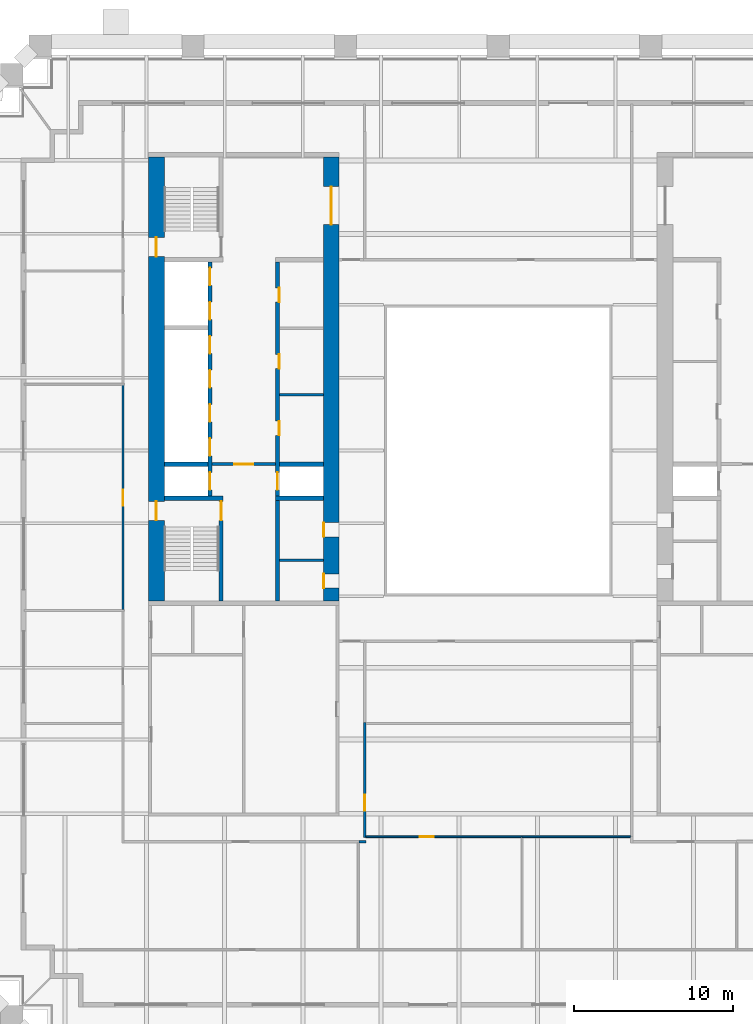
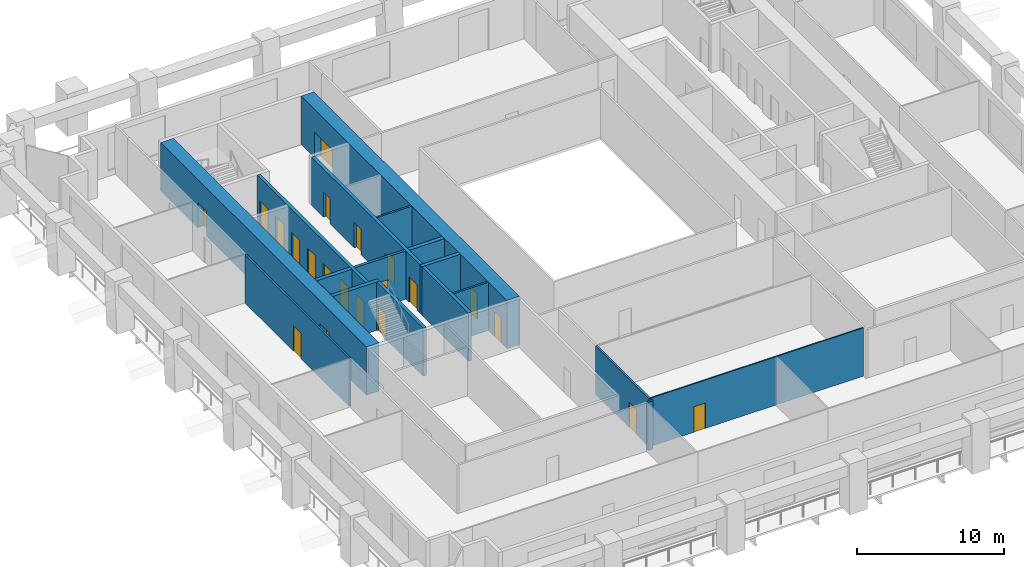
# One storey, part 4 of 10: 21 doors, 17 walls, 21 openings.
"""IFC4 building model written with IfcOpenShell, lengths in metres."""

from ifc_helpers import new_model, si_unit, direction, frame, frame_2d, origin, place, context, subcontext, project, spatial, rectangle, extrude, material, layer, layer_set, type_object, element, fill, save


model = new_model("IFC4")

# Units and contexts
model_context = context("Model", 3, precision=1e-05, world=origin(), true_north=direction((0.0, 1.0)))
body_context = subcontext(model_context, "Body", "Model", "MODEL_VIEW")
ifc_project = project(units=[si_unit("LENGTHUNIT", "METRE"), si_unit("AREAUNIT", "SQUARE_METRE"), si_unit("VOLUMEUNIT", "CUBIC_METRE"), si_unit("PLANEANGLEUNIT", "RADIAN"), si_unit("MASSUNIT", "GRAM", prefix="KILO")], contexts=[model_context])

# Site, building, storey
site_placement = place(None, origin())
site = spatial("IfcSite", under=ifc_project, at=site_placement, CompositionType="ELEMENT")
building_placement = place(site_placement, origin())
building = spatial("IfcBuilding", under=site, at=building_placement, Name="Ogive Exchange Tower", CompositionType="ELEMENT")
storey_placement = place(building_placement, frame((0.0, 0.0, 43.800048828125)))
storey = spatial("IfcBuildingStorey", under=building, at=storey_placement, Name="L08", CompositionType="ELEMENT", Elevation=43.800048828125)

# Walls
ifc_material_1 = material(Name="Gypsum board partition")
ifc_layer_1 = layer(ifc_material_1, 0.14990234375)
ifc_layer_set_1 = layer_set([ifc_layer_1], Name="Core room partition 150 gypsum")
wall_type_1 = type_object("IfcWallType", Name="Core room partition 150 gypsum", PredefinedType="PARTITIONING", material=ifc_layer_set_1)
for number, where, z_axis, x_axis, name in (
    (1, (-13.75, 10.5, 0.0), (0.0, 0.0, 1.0), (1.0, 0.0, 0.0), "W row B bay partition 1-1"),
    (2, (-13.75, 0.10009765625, 0.0), (0.0, 0.0, 1.0), (1.0, 0.0, 0.0), "W south room partition"),
):
    element("IfcWall", number, at=place(storey_placement, frame(where, z_axis=z_axis, x_axis=x_axis)), inside=storey, type_object=wall_type_1, Name=name, PredefinedType="PARTITIONING", context=body_context, shape_type="SweptSolid", body=[
        extrude(rectangle(XDim=2.75, YDim=0.14990234375, at=frame_2d((1.375, 0.0))), origin(), (0.0, 0.0, 1.0), 4.0),
    ])

# Wall, opening, door
ifc_material_2 = material(Name="Fire partition EI 60 150")
ifc_layer_2 = layer(ifc_material_2, 0.14990234375)
ifc_layer_set_2 = layer_set([ifc_layer_2], Name="Fire partition EI 60 150")
wall_type_2 = type_object("IfcWallType", Name="Fire partition EI 60 150", PredefinedType="PARTITIONING", material=ifc_layer_set_2)
wall_1_placement = place(storey_placement, frame((-23.60009765625, -3.010009765625, 0.0), z_axis=(0.0, 0.0, 1.0), x_axis=(0.0, 1.0, 0.0)))
wall_1 = element("IfcWall", 3, at=wall_1_placement, inside=storey, type_object=wall_type_2, Name="L08-PWL-009", PredefinedType="PARTITIONING", context=body_context, shape_type="SweptSolid", body=[
    extrude(rectangle(XDim=14.130126953125, YDim=0.14990234375, at=frame_2d((7.06494140625, 0.0))), origin(), (0.0, 0.0, 1.0), 4.0),
])
opening_1_placement = place(wall_1_placement, frame((6.530029296875, 0.0, 0.0)))
opening_1 = element("IfcOpeningElement", 4, at=opening_1_placement, cuts=wall_1, Name="Opening L08-I03", PredefinedType="OPENING", context=body_context, shape_type="SweptSolid", body=[
    extrude(rectangle(XDim=1.0, YDim=2.10009765625, at=frame_2d((0.5, 1.050048828125))), frame((0.0, 0.0849609375, 0.0), z_axis=(0.0, -1.0, 0.0), x_axis=(1.0, 0.0, 0.0)), (0.0, 0.0, 1.0), 0.169921875),
])
ifc_material_3 = material(Name="Fire door FD 30S 1000 x 2100")
door_type_1 = type_object("IfcDoorType", Name="Fire door FD 30S 1000 x 2100", OperationType="NOTDEFINED", PredefinedType="DOOR", material=ifc_material_3)
door_1_placement = place(opening_1_placement, origin())
door_1 = element("IfcDoor", 5, at=door_1_placement, inside=storey, type_object=door_type_1, Name="L08-IDR-003", ObjectType="DT3", OperationType="SINGLE_SWING_RIGHT", OverallHeight=2.10009765625, OverallWidth=1.0, PredefinedType="DOOR", context=body_context, shape_type="SweptSolid", body=[
    extrude(rectangle(XDim=1.0, YDim=2.10009765625, at=frame_2d((0.5, 1.050048828125))), frame((0.0, 0.02490234375, 0.0), z_axis=(0.0, -1.0, 0.0), x_axis=(1.0, 0.0, 0.0)), (0.0, 0.0, 1.0), 0.050048828125),
])
fill(opening_1, door_1)

# Wall
wall_2_placement = place(storey_placement, frame((-8.324951171875, -17.60009765625, 0.0), z_axis=(0.0, 0.0, 1.0), x_axis=(-1.0, 0.0, 0.0)))
element("IfcWall", 6, at=wall_2_placement, inside=storey, type_object=wall_type_2, Name="L08-PWL-017", PredefinedType="PARTITIONING", context=body_context, shape_type="SweptSolid", body=[
    extrude(rectangle(XDim=0.425048828125, YDim=0.14990234375, at=frame_2d((0.21240234375, 0.0))), origin(), (0.0, 0.0, 1.0), 4.0),
])

# Wall, opening, door
wall_3_placement = place(storey_placement, frame((-8.39990234375, -10.1201171875, 0.0), z_axis=(0.0, 0.0, 1.0), x_axis=(0.0, -1.0, 0.0)))
wall_3 = element("IfcWall", 7, at=wall_3_placement, inside=storey, type_object=wall_type_2, Name="L08-PWL-018", PredefinedType="PARTITIONING", context=body_context, shape_type="SweptSolid", body=[
    extrude(rectangle(XDim=7.219970703125, YDim=0.14990234375, at=frame_2d((3.60986328125, 0.0))), origin(), (0.0, 0.0, 1.0), 4.0),
])
opening_2_placement = place(wall_3_placement, frame((4.52001953125, 0.0, 0.0)))
opening_2 = element("IfcOpeningElement", 8, at=opening_2_placement, cuts=wall_3, Name="Opening L08-I12", PredefinedType="OPENING", context=body_context, shape_type="SweptSolid", body=[
    extrude(rectangle(XDim=1.0, YDim=2.10009765625, at=frame_2d((0.5, 1.050048828125))), frame((0.0, 0.0849609375, 0.0), z_axis=(0.0, -1.0, 0.0), x_axis=(1.0, 0.0, 0.0)), (0.0, 0.0, 1.0), 0.169921875),
])
door_2_placement = place(opening_2_placement, origin())
door_2 = element("IfcDoor", 9, at=door_2_placement, inside=storey, type_object=door_type_1, Name="L08-IDR-012", ObjectType="DT3", OperationType="SINGLE_SWING_LEFT", OverallHeight=2.10009765625, OverallWidth=1.0, PredefinedType="DOOR", context=body_context, shape_type="SweptSolid", body=[
    extrude(rectangle(XDim=1.0, YDim=2.10009765625, at=frame_2d((0.5, 1.050048828125))), frame((0.0, 0.02490234375, 0.0), z_axis=(0.0, -1.0, 0.0), x_axis=(1.0, 0.0, 0.0)), (0.0, 0.0, 1.0), 0.050048828125),
])
fill(opening_2, door_2)

ifc_material_4 = material(Name="Partition 100 gypsum")
ifc_layer_3 = layer(ifc_material_4, 0.10009765625)
ifc_layer_set_3 = layer_set([ifc_layer_3], Name="Partition 100 gypsum")
wall_type_3 = type_object("IfcWallType", Name="Partition 100 gypsum", PredefinedType="PARTITIONING", material=ifc_layer_set_3)
wall_4_placement = place(storey_placement, frame((1.550048828125, -17.2900390625, 0.0), z_axis=(0.0, 0.0, 1.0), x_axis=(-1.0, 0.0, 0.0)))
wall_4 = element("IfcWall", 10, at=wall_4_placement, inside=storey, type_object=wall_type_3, Name="L08-PWL-023", PredefinedType="PARTITIONING", context=body_context, shape_type="SweptSolid", body=[
    extrude(rectangle(XDim=9.875, YDim=0.10009765625, at=frame_2d((4.9375, 0.0))), origin(), (0.0, 0.0, 1.0), 4.0),
])
opening_3_placement = place(wall_4_placement, frame((5.60009765625, 0.0, 0.0)))
opening_3 = element("IfcOpeningElement", 11, at=opening_3_placement, cuts=wall_4, Name="Opening L08-I13", PredefinedType="OPENING", context=body_context, shape_type="SweptSolid", body=[
    extrude(rectangle(XDim=0.89990234375, YDim=2.10009765625, at=frame_2d((0.449951171875, 1.050048828125))), frame((0.0, 0.06005859375, 0.0), z_axis=(0.0, -1.0, 0.0), x_axis=(1.0, 0.0, 0.0)), (0.0, 0.0, 1.0), 0.1201171875),
])
ifc_material_5 = material(Name="Door 900 x 2100")
door_type_2 = type_object("IfcDoorType", Name="Door 900 x 2100", OperationType="NOTDEFINED", PredefinedType="DOOR", material=ifc_material_5)
door_3_placement = place(opening_3_placement, origin())
door_3 = element("IfcDoor", 12, at=door_3_placement, inside=storey, type_object=door_type_2, Name="L08-IDR-013", ObjectType="DT1", OperationType="SINGLE_SWING_LEFT", OverallHeight=2.10009765625, OverallWidth=0.89990234375, PredefinedType="DOOR", context=body_context, shape_type="SweptSolid", body=[
    extrude(rectangle(XDim=0.89990234375, YDim=2.10009765625, at=frame_2d((0.449951171875, 1.050048828125))), frame((0.0, 0.02490234375, 0.0), z_axis=(0.0, -1.0, 0.0), x_axis=(1.0, 0.0, 0.0)), (0.0, 0.0, 1.0), 0.050048828125),
])
fill(opening_3, door_3)

# Wall
wall_5_placement = place(storey_placement, frame((8.324951171875, -17.2900390625, 0.0), z_axis=(0.0, 0.0, 1.0), x_axis=(-1.0, 0.0, 0.0)))
element("IfcWall", 13, at=wall_5_placement, inside=storey, type_object=wall_type_3, Name="L08-PWL-026", PredefinedType="PARTITIONING", context=body_context, shape_type="SweptSolid", body=[
    extrude(rectangle(XDim=6.824951171875, YDim=0.10009765625, at=frame_2d((3.41259765625, 0.0))), origin(), (0.0, 0.0, 1.0), 4.0),
])

# Wall, openings, doors
ifc_material_6 = material(Name="Concrete C70/85", Category="concrete")
ifc_layer_4 = layer(ifc_material_6, 1.0)
ifc_layer_set_4 = layer_set([ifc_layer_4], Name="RC core wall 1000 C70/85")
wall_type_4 = type_object("IfcWallType", Name="RC core wall 1000 C70/85", PredefinedType="SHEAR", material=ifc_layer_set_4)
wall_6_placement = place(storey_placement, frame((-21.5, -2.449951171875, 0.0), z_axis=(0.0, 0.0, 1.0), x_axis=(0.0, 1.0, 0.0)))
wall_6 = element("IfcWall", 14, at=wall_6_placement, inside=storey, type_object=wall_type_4, Name="W outer wall", PredefinedType="SHEAR", context=body_context, shape_type="SweptSolid", body=[
    extrude(rectangle(XDim=27.89990234375, YDim=1.0, at=frame_2d((13.949951171875, 0.0))), origin(), (0.0, 0.0, 1.0), 4.0),
])
opening_4_placement = place(wall_6_placement, frame((5.050048828125, 0.0, 0.0)))
opening_4 = element("IfcOpeningElement", 15, at=opening_4_placement, cuts=wall_6, Name="Opening L08-C15", PredefinedType="OPENING", context=body_context, shape_type="SweptSolid", body=[
    extrude(rectangle(XDim=1.199951171875, YDim=2.10009765625, at=frame_2d((0.60009765625, 1.050048828125))), frame((0.0, 0.510009765625, 0.0), z_axis=(0.0, -1.0, 0.0), x_axis=(1.0, 0.0, 0.0)), (0.0, 0.0, 1.0), 1.02001953125),
])
opening_5_placement = place(wall_6_placement, frame((21.64990234375, 0.0, 0.0)))
opening_5 = element("IfcOpeningElement", 16, at=opening_5_placement, cuts=wall_6, Name="Opening L08-C17", PredefinedType="OPENING", context=body_context, shape_type="SweptSolid", body=[
    extrude(rectangle(XDim=1.199951171875, YDim=2.10009765625, at=frame_2d((0.60009765625, 1.050048828125))), frame((0.0, 0.510009765625, 0.0), z_axis=(0.0, -1.0, 0.0), x_axis=(1.0, 0.0, 0.0)), (0.0, 0.0, 1.0), 1.02001953125),
])
ifc_material_7 = material(Name="Steel fire door", Category="steel")
door_type_3 = type_object("IfcDoorType", Name="Stair door FD90 1200 x 2100", OperationType="NOTDEFINED", PredefinedType="DOOR", material=ifc_material_7)
door_4_placement = place(opening_4_placement, frame((1.199951171875, 0.0, 0.0), z_axis=(0.0, 0.0, 1.0), x_axis=(-1.0, 0.0, 0.0)))
door_4 = element("IfcDoor", 17, at=door_4_placement, inside=storey, type_object=door_type_3, Name="Stair door", ObjectType="CD5", OperationType="SINGLE_SWING_RIGHT", OverallHeight=2.10009765625, OverallWidth=1.199951171875, PredefinedType="DOOR", context=body_context, shape_type="SweptSolid", body=[
    extrude(rectangle(XDim=1.199951171875, YDim=2.10009765625, at=frame_2d((0.60009765625, 1.050048828125))), frame((0.0, 0.02490234375, 0.0), z_axis=(0.0, -1.0, 0.0), x_axis=(1.0, 0.0, 0.0)), (0.0, 0.0, 1.0), 0.050048828125),
])
fill(opening_4, door_4)
door_5_placement = place(opening_5_placement, frame((1.199951171875, 0.0, 0.0), z_axis=(0.0, 0.0, 1.0), x_axis=(-1.0, 0.0, 0.0)))
door_5 = element("IfcDoor", 18, at=door_5_placement, inside=storey, type_object=door_type_3, Name="Stair door", ObjectType="CD5", OperationType="SINGLE_SWING_LEFT", OverallHeight=2.10009765625, OverallWidth=1.199951171875, PredefinedType="DOOR", context=body_context, shape_type="SweptSolid", body=[
    extrude(rectangle(XDim=1.199951171875, YDim=2.10009765625, at=frame_2d((0.60009765625, 1.050048828125))), frame((0.0, 0.02490234375, 0.0), z_axis=(0.0, -1.0, 0.0), x_axis=(1.0, 0.0, 0.0)), (0.0, 0.0, 1.0), 0.050048828125),
])
fill(opening_5, door_5)

wall_7_placement = place(storey_placement, frame((-10.5, -2.449951171875, 0.0), z_axis=(0.0, 0.0, 1.0), x_axis=(0.0, 1.0, 0.0)))
wall_7 = element("IfcWall", 19, at=wall_7_placement, inside=storey, type_object=wall_type_4, Name="W inner wall", PredefinedType="SHEAR", context=body_context, shape_type="SweptSolid", body=[
    extrude(rectangle(XDim=27.89990234375, YDim=1.0, at=frame_2d((13.949951171875, 0.0))), origin(), (0.0, 0.0, 1.0), 4.0),
])
opening_6_placement = place(wall_7_placement, frame((23.64990234375, 0.0, 0.0)))
opening_6 = element("IfcOpeningElement", 20, at=opening_6_placement, cuts=wall_7, Name="Opening L08-C13", PredefinedType="OPENING", context=body_context, shape_type="SweptSolid", body=[
    extrude(rectangle(XDim=2.39990234375, YDim=2.10009765625, at=frame_2d((1.199951171875, 1.050048828125))), frame((0.0, 0.510009765625, 0.0), z_axis=(0.0, -1.0, 0.0), x_axis=(1.0, 0.0, 0.0)), (0.0, 0.0, 1.0), 1.02001953125),
])
opening_7_placement = place(wall_7_placement, frame((0.78759765625, 0.0, 0.0)))
opening_7 = element("IfcOpeningElement", 21, at=opening_7_placement, cuts=wall_7, Name="Opening L08-C18", PredefinedType="OPENING", context=body_context, shape_type="SweptSolid", body=[
    extrude(rectangle(XDim=0.89990234375, YDim=2.10009765625, at=frame_2d((0.449951171875, 1.050048828125))), frame((0.0, 0.510009765625, 0.0), z_axis=(0.0, -1.0, 0.0), x_axis=(1.0, 0.0, 0.0)), (0.0, 0.0, 1.0), 1.02001953125),
])
opening_8_placement = place(wall_7_placement, frame((4.012451171875, 0.0, 0.0)))
opening_8 = element("IfcOpeningElement", 22, at=opening_8_placement, cuts=wall_7, Name="Opening L08-C19", PredefinedType="OPENING", context=body_context, shape_type="SweptSolid", body=[
    extrude(rectangle(XDim=0.89990234375, YDim=2.10009765625, at=frame_2d((0.449951171875, 1.050048828125))), frame((0.0, 0.510009765625, 0.0), z_axis=(0.0, -1.0, 0.0), x_axis=(1.0, 0.0, 0.0)), (0.0, 0.0, 1.0), 1.02001953125),
])
ifc_material_8 = material(Name="Timber fire door", Category="wood")
door_type_4 = type_object("IfcDoorType", Name="Core room door FD30S 900 x 2100", OperationType="NOTDEFINED", PredefinedType="DOOR", material=ifc_material_8)
door_6_placement = place(opening_7_placement, origin())
door_6 = element("IfcDoor", 23, at=door_6_placement, inside=storey, type_object=door_type_4, Name="Core room door", ObjectType="CD6", OperationType="SINGLE_SWING_LEFT", OverallHeight=2.10009765625, OverallWidth=0.89990234375, PredefinedType="DOOR", context=body_context, shape_type="SweptSolid", body=[
    extrude(rectangle(XDim=0.89990234375, YDim=2.10009765625, at=frame_2d((0.449951171875, 1.050048828125))), frame((0.0, 0.5, 0.0), z_axis=(0.0, -1.0, 0.0), x_axis=(1.0, 0.0, 0.0)), (0.0, 0.0, 1.0), 0.050048828125),
])
fill(opening_7, door_6)
ifc_material_9 = material(Name="Glazed steel fire door", Category="steel")
door_type_5 = type_object("IfcDoorType", Name="Lift lobby double door FD60 2400 x 2100", OperationType="DOUBLE_DOOR_SINGLE_SWING", PredefinedType="DOOR", material=ifc_material_9)
door_7_placement = place(opening_6_placement, origin())
door_7 = element("IfcDoor", 24, at=door_7_placement, inside=storey, type_object=door_type_5, Name="Lift lobby double door", ObjectType="CD4", OperationType="DOUBLE_DOOR_SINGLE_SWING", OverallHeight=2.10009765625, OverallWidth=2.39990234375, PredefinedType="DOOR", context=body_context, shape_type="SweptSolid", body=[
    extrude(rectangle(XDim=2.39990234375, YDim=2.10009765625, at=frame_2d((1.199951171875, 1.050048828125))), frame((0.0, 0.02490234375, 0.0), z_axis=(0.0, -1.0, 0.0), x_axis=(1.0, 0.0, 0.0)), (0.0, 0.0, 1.0), 0.050048828125),
])
fill(opening_6, door_7)
door_type_6 = type_object("IfcDoorType", Name="Riser door FD60 900 x 2100", OperationType="NOTDEFINED", PredefinedType="DOOR", material=ifc_material_7)
door_8_placement = place(opening_8_placement, origin())
door_8 = element("IfcDoor", 25, at=door_8_placement, inside=storey, type_object=door_type_6, Name="Riser door", ObjectType="CD2", OperationType="SINGLE_SWING_LEFT", OverallHeight=2.10009765625, OverallWidth=0.89990234375, PredefinedType="DOOR", context=body_context, shape_type="SweptSolid", body=[
    extrude(rectangle(XDim=0.89990234375, YDim=2.10009765625, at=frame_2d((0.449951171875, 1.050048828125))), frame((0.0, 0.5, 0.0), z_axis=(0.0, -1.0, 0.0), x_axis=(1.0, 0.0, 0.0)), (0.0, 0.0, 1.0), 0.050048828125),
])
fill(opening_8, door_8)

# Wall, opening, door
ifc_layer_5 = layer(ifc_material_6, 0.199951171875)
ifc_layer_set_5 = layer_set([ifc_layer_5], Name="RC core wall 200 C70/85")
wall_type_5 = type_object("IfcWallType", Name="RC core wall 200 C70/85", PredefinedType="SHEAR", material=ifc_layer_set_5)
wall_8_placement = place(storey_placement, frame((-18.0, 6.142822265625, 0.0), z_axis=(0.0, 0.0, 1.0), x_axis=(1.0, 0.0, 0.0)))
wall_8 = element("IfcWall", 26, at=wall_8_placement, inside=storey, type_object=wall_type_5, Name="W firefighting lobby wall", PredefinedType="SHEAR", context=body_context, shape_type="SweptSolid", body=[
    extrude(rectangle(XDim=4.0, YDim=0.199951171875, at=frame_2d((2.0, 0.0))), origin(), (0.0, 0.0, 1.0), 4.0),
])
opening_9_placement = place(wall_8_placement, frame((1.39990234375, 0.0, 0.0)))
opening_9 = element("IfcOpeningElement", 27, at=opening_9_placement, cuts=wall_8, Name="Opening L08-C12", PredefinedType="OPENING", context=body_context, shape_type="SweptSolid", body=[
    extrude(rectangle(XDim=1.199951171875, YDim=2.10009765625, at=frame_2d((0.60009765625, 1.050048828125))), frame((0.0, 0.10986328125, 0.0), z_axis=(0.0, -1.0, 0.0), x_axis=(1.0, 0.0, 0.0)), (0.0, 0.0, 1.0), 0.219970703125),
])
door_type_7 = type_object("IfcDoorType", Name="Firefighting lobby door FD60 1200 x 2100", OperationType="NOTDEFINED", PredefinedType="DOOR", material=ifc_material_7)
door_9_placement = place(opening_9_placement, frame((1.199951171875, 0.0, 0.0), z_axis=(0.0, 0.0, 1.0), x_axis=(-1.0, 0.0, 0.0)))
door_9 = element("IfcDoor", 28, at=door_9_placement, inside=storey, type_object=door_type_7, Name="Firefighting lobby door", ObjectType="CD3", OperationType="SINGLE_SWING_RIGHT", OverallHeight=2.10009765625, OverallWidth=1.199951171875, PredefinedType="DOOR", context=body_context, shape_type="SweptSolid", body=[
    extrude(rectangle(XDim=1.199951171875, YDim=2.10009765625, at=frame_2d((0.60009765625, 1.050048828125))), frame((0.0, 0.02490234375, 0.0), z_axis=(0.0, -1.0, 0.0), x_axis=(1.0, 0.0, 0.0)), (0.0, 0.0, 1.0), 0.050048828125),
])
fill(opening_9, door_9)

ifc_layer_6 = layer(ifc_material_6, 0.25)
ifc_layer_set_6 = layer_set([ifc_layer_6], Name="RC core wall 250 C70/85")
wall_type_6 = type_object("IfcWallType", Name="RC core wall 250 C70/85", PredefinedType="SHEAR", material=ifc_layer_set_6)
wall_9_placement = place(storey_placement, frame((-17.425048828125, -2.449951171875, 0.0), z_axis=(0.0, 0.0, 1.0), x_axis=(0.0, 1.0, 0.0)))
wall_9 = element("IfcWall", 29, at=wall_9_placement, inside=storey, type_object=wall_type_6, Name="W stair S front wall", PredefinedType="SHEAR", context=body_context, shape_type="SweptSolid", body=[
    extrude(rectangle(XDim=6.300048828125, YDim=0.25, at=frame_2d((3.14990234375, 0.0))), origin(), (0.0, 0.0, 1.0), 4.0),
])
opening_10_placement = place(wall_9_placement, frame((5.050048828125, 0.0, 0.0)))
opening_10 = element("IfcOpeningElement", 30, at=opening_10_placement, cuts=wall_9, Name="Opening L08-C14", PredefinedType="OPENING", context=body_context, shape_type="SweptSolid", body=[
    extrude(rectangle(XDim=1.199951171875, YDim=2.10009765625, at=frame_2d((0.60009765625, 1.050048828125))), frame((0.0, 0.135009765625, 0.0), z_axis=(0.0, -1.0, 0.0), x_axis=(1.0, 0.0, 0.0)), (0.0, 0.0, 1.0), 0.27001953125),
])
door_10_placement = place(opening_10_placement, origin())
door_10 = element("IfcDoor", 31, at=door_10_placement, inside=storey, type_object=door_type_3, Name="Stair door", ObjectType="CD5", OperationType="SINGLE_SWING_LEFT", OverallHeight=2.10009765625, OverallWidth=1.199951171875, PredefinedType="DOOR", context=body_context, shape_type="SweptSolid", body=[
    extrude(rectangle(XDim=1.199951171875, YDim=2.10009765625, at=frame_2d((0.60009765625, 1.050048828125))), frame((0.0, 0.02490234375, 0.0), z_axis=(0.0, -1.0, 0.0), x_axis=(1.0, 0.0, 0.0)), (0.0, 0.0, 1.0), 0.050048828125),
])
fill(opening_10, door_10)

# Wall, openings, doors
wall_10_placement = place(storey_placement, frame((-18.125, 4.14990234375, 0.0), z_axis=(0.0, 0.0, 1.0), x_axis=(0.0, 1.0, 0.0)))
wall_10 = element("IfcWall", 32, at=wall_10_placement, inside=storey, type_object=wall_type_6, Name="W row A front wall", PredefinedType="SHEAR", context=body_context, shape_type="SweptSolid", body=[
    extrude(rectangle(XDim=14.7001953125, YDim=0.25, at=frame_2d((7.35009765625, 0.0))), origin(), (0.0, 0.0, 1.0), 4.0),
])
opening_11_placement = place(wall_10_placement, frame((0.371337890625, 0.0, 0.0)))
opening_11 = element("IfcOpeningElement", 33, at=opening_11_placement, cuts=wall_10, Name="Opening L08-C01", PredefinedType="OPENING", context=body_context, shape_type="SweptSolid", body=[
    extrude(rectangle(XDim=1.10009765625, YDim=2.10009765625, at=frame_2d((0.550048828125, 1.050048828125))), frame((0.0, 0.135009765625, 0.0), z_axis=(0.0, -1.0, 0.0), x_axis=(1.0, 0.0, 0.0)), (0.0, 0.0, 1.0), 0.27001953125),
])
opening_12_placement = place(wall_10_placement, frame((2.514404296875, 0.0, 0.0)))
opening_12 = element("IfcOpeningElement", 34, at=opening_12_placement, cuts=wall_10, Name="Opening L08-C02", PredefinedType="OPENING", context=body_context, shape_type="SweptSolid", body=[
    extrude(rectangle(XDim=1.10009765625, YDim=2.10009765625, at=frame_2d((0.550048828125, 1.050048828125))), frame((0.0, 0.135009765625, 0.0), z_axis=(0.0, -1.0, 0.0), x_axis=(1.0, 0.0, 0.0)), (0.0, 0.0, 1.0), 0.27001953125),
])
opening_13_placement = place(wall_10_placement, frame((4.656982421875, 0.0, 0.0)))
opening_13 = element("IfcOpeningElement", 35, at=opening_13_placement, cuts=wall_10, Name="Opening L08-C03", PredefinedType="OPENING", context=body_context, shape_type="SweptSolid", body=[
    extrude(rectangle(XDim=1.10009765625, YDim=2.10009765625, at=frame_2d((0.550048828125, 1.050048828125))), frame((0.0, 0.135009765625, 0.0), z_axis=(0.0, -1.0, 0.0), x_axis=(1.0, 0.0, 0.0)), (0.0, 0.0, 1.0), 0.27001953125),
])
opening_14_placement = place(wall_10_placement, frame((6.800048828125, 0.0, 0.0)))
opening_14 = element("IfcOpeningElement", 36, at=opening_14_placement, cuts=wall_10, Name="Opening L08-C04", PredefinedType="OPENING", context=body_context, shape_type="SweptSolid", body=[
    extrude(rectangle(XDim=1.10009765625, YDim=2.10009765625, at=frame_2d((0.550048828125, 1.050048828125))), frame((0.0, 0.135009765625, 0.0), z_axis=(0.0, -1.0, 0.0), x_axis=(1.0, 0.0, 0.0)), (0.0, 0.0, 1.0), 0.27001953125),
])
opening_15_placement = place(wall_10_placement, frame((8.94287109375, 0.0, 0.0)))
opening_15 = element("IfcOpeningElement", 37, at=opening_15_placement, cuts=wall_10, Name="Opening L08-C05", PredefinedType="OPENING", context=body_context, shape_type="SweptSolid", body=[
    extrude(rectangle(XDim=1.10009765625, YDim=2.10009765625, at=frame_2d((0.550048828125, 1.050048828125))), frame((0.0, 0.135009765625, 0.0), z_axis=(0.0, -1.0, 0.0), x_axis=(1.0, 0.0, 0.0)), (0.0, 0.0, 1.0), 0.27001953125),
])
opening_16_placement = place(wall_10_placement, frame((11.085693359375, 0.0, 0.0)))
opening_16 = element("IfcOpeningElement", 38, at=opening_16_placement, cuts=wall_10, Name="Opening L08-C06", PredefinedType="OPENING", context=body_context, shape_type="SweptSolid", body=[
    extrude(rectangle(XDim=1.10009765625, YDim=2.10009765625, at=frame_2d((0.550048828125, 1.050048828125))), frame((0.0, 0.135009765625, 0.0), z_axis=(0.0, -1.0, 0.0), x_axis=(1.0, 0.0, 0.0)), (0.0, 0.0, 1.0), 0.27001953125),
])
opening_17_placement = place(wall_10_placement, frame((13.228515625, 0.0, 0.0)))
opening_17 = element("IfcOpeningElement", 39, at=opening_17_placement, cuts=wall_10, Name="Opening L08-C07", PredefinedType="OPENING", context=body_context, shape_type="SweptSolid", body=[
    extrude(rectangle(XDim=1.10009765625, YDim=2.10009765625, at=frame_2d((0.550048828125, 1.050048828125))), frame((0.0, 0.135009765625, 0.0), z_axis=(0.0, -1.0, 0.0), x_axis=(1.0, 0.0, 0.0)), (0.0, 0.0, 1.0), 0.27001953125),
])
ifc_material_10 = material(Name="Stainless steel", Category="steel")
door_type_8 = type_object("IfcDoorType", Name="Lift landing door FD90 1100 x 2100", OperationType="SLIDING_TO_LEFT", PredefinedType="DOOR", material=ifc_material_10)
door_11_placement = place(opening_11_placement, origin())
door_11 = element("IfcDoor", 40, at=door_11_placement, inside=storey, type_object=door_type_8, Name="Lift landing door FF1", ObjectType="LD", OperationType="SLIDING_TO_LEFT", OverallHeight=2.10009765625, OverallWidth=1.10009765625, PredefinedType="DOOR", context=body_context, shape_type="SweptSolid", body=[
    extrude(rectangle(XDim=1.10009765625, YDim=2.10009765625, at=frame_2d((0.550048828125, 1.050048828125))), frame((0.0, 0.02490234375, 0.0), z_axis=(0.0, -1.0, 0.0), x_axis=(1.0, 0.0, 0.0)), (0.0, 0.0, 1.0), 0.050048828125),
])
fill(opening_11, door_11)
door_12_placement = place(opening_12_placement, origin())
door_12 = element("IfcDoor", 41, at=door_12_placement, inside=storey, type_object=door_type_8, Name="Lift landing door W-L1", ObjectType="LD", OperationType="SLIDING_TO_LEFT", OverallHeight=2.10009765625, OverallWidth=1.10009765625, PredefinedType="DOOR", context=body_context, shape_type="SweptSolid", body=[
    extrude(rectangle(XDim=1.10009765625, YDim=2.10009765625, at=frame_2d((0.550048828125, 1.050048828125))), frame((0.0, 0.02490234375, 0.0), z_axis=(0.0, -1.0, 0.0), x_axis=(1.0, 0.0, 0.0)), (0.0, 0.0, 1.0), 0.050048828125),
])
fill(opening_12, door_12)
door_13_placement = place(opening_13_placement, origin())
door_13 = element("IfcDoor", 42, at=door_13_placement, inside=storey, type_object=door_type_8, Name="Lift landing door W-L2", ObjectType="LD", OperationType="SLIDING_TO_LEFT", OverallHeight=2.10009765625, OverallWidth=1.10009765625, PredefinedType="DOOR", context=body_context, shape_type="SweptSolid", body=[
    extrude(rectangle(XDim=1.10009765625, YDim=2.10009765625, at=frame_2d((0.550048828125, 1.050048828125))), frame((0.0, 0.02490234375, 0.0), z_axis=(0.0, -1.0, 0.0), x_axis=(1.0, 0.0, 0.0)), (0.0, 0.0, 1.0), 0.050048828125),
])
fill(opening_13, door_13)
door_14_placement = place(opening_14_placement, origin())
door_14 = element("IfcDoor", 43, at=door_14_placement, inside=storey, type_object=door_type_8, Name="Lift landing door W-L3", ObjectType="LD", OperationType="SLIDING_TO_LEFT", OverallHeight=2.10009765625, OverallWidth=1.10009765625, PredefinedType="DOOR", context=body_context, shape_type="SweptSolid", body=[
    extrude(rectangle(XDim=1.10009765625, YDim=2.10009765625, at=frame_2d((0.550048828125, 1.050048828125))), frame((0.0, 0.02490234375, 0.0), z_axis=(0.0, -1.0, 0.0), x_axis=(1.0, 0.0, 0.0)), (0.0, 0.0, 1.0), 0.050048828125),
])
fill(opening_14, door_14)
door_15_placement = place(opening_15_placement, origin())
door_15 = element("IfcDoor", 44, at=door_15_placement, inside=storey, type_object=door_type_8, Name="Lift landing door W-L4", ObjectType="LD", OperationType="SLIDING_TO_LEFT", OverallHeight=2.10009765625, OverallWidth=1.10009765625, PredefinedType="DOOR", context=body_context, shape_type="SweptSolid", body=[
    extrude(rectangle(XDim=1.10009765625, YDim=2.10009765625, at=frame_2d((0.550048828125, 1.050048828125))), frame((0.0, 0.02490234375, 0.0), z_axis=(0.0, -1.0, 0.0), x_axis=(1.0, 0.0, 0.0)), (0.0, 0.0, 1.0), 0.050048828125),
])
fill(opening_15, door_15)
door_16_placement = place(opening_16_placement, origin())
door_16 = element("IfcDoor", 45, at=door_16_placement, inside=storey, type_object=door_type_8, Name="Lift landing door W-SH1", ObjectType="LD", OperationType="SLIDING_TO_LEFT", OverallHeight=2.10009765625, OverallWidth=1.10009765625, PredefinedType="DOOR", context=body_context, shape_type="SweptSolid", body=[
    extrude(rectangle(XDim=1.10009765625, YDim=2.10009765625, at=frame_2d((0.550048828125, 1.050048828125))), frame((0.0, 0.02490234375, 0.0), z_axis=(0.0, -1.0, 0.0), x_axis=(1.0, 0.0, 0.0)), (0.0, 0.0, 1.0), 0.050048828125),
])
fill(opening_16, door_16)
door_17_placement = place(opening_17_placement, origin())
door_17 = element("IfcDoor", 46, at=door_17_placement, inside=storey, type_object=door_type_8, Name="Lift landing door W-SH2", ObjectType="LD", OperationType="SLIDING_TO_LEFT", OverallHeight=2.10009765625, OverallWidth=1.10009765625, PredefinedType="DOOR", context=body_context, shape_type="SweptSolid", body=[
    extrude(rectangle(XDim=1.10009765625, YDim=2.10009765625, at=frame_2d((0.550048828125, 1.050048828125))), frame((0.0, 0.02490234375, 0.0), z_axis=(0.0, -1.0, 0.0), x_axis=(1.0, 0.0, 0.0)), (0.0, 0.0, 1.0), 0.050048828125),
])
fill(opening_17, door_17)

wall_11_placement = place(storey_placement, frame((-13.875, -2.449951171875, 0.0), z_axis=(0.0, 0.0, 1.0), x_axis=(0.0, 1.0, 0.0)))
wall_11 = element("IfcWall", 47, at=wall_11_placement, inside=storey, type_object=wall_type_6, Name="W row B front wall", PredefinedType="SHEAR", context=body_context, shape_type="SweptSolid", body=[
    extrude(rectangle(XDim=21.300048828125, YDim=0.25, at=frame_2d((10.64990234375, 0.0))), origin(), (0.0, 0.0, 1.0), 4.0),
])
opening_18_placement = place(wall_11_placement, frame((10.396484375, 0.0, 0.0)))
opening_18 = element("IfcOpeningElement", 48, at=opening_18_placement, cuts=wall_11, Name="Opening L08-C08", PredefinedType="OPENING", context=body_context, shape_type="SweptSolid", body=[
    extrude(rectangle(XDim=0.89990234375, YDim=2.10009765625, at=frame_2d((0.449951171875, 1.050048828125))), frame((0.0, 0.135009765625, 0.0), z_axis=(0.0, -1.0, 0.0), x_axis=(1.0, 0.0, 0.0)), (0.0, 0.0, 1.0), 0.27001953125),
])
opening_19_placement = place(wall_11_placement, frame((14.60009765625, 0.0, 0.0)))
opening_19 = element("IfcOpeningElement", 49, at=opening_19_placement, cuts=wall_11, Name="Opening L08-C09", PredefinedType="OPENING", context=body_context, shape_type="SweptSolid", body=[
    extrude(rectangle(XDim=0.89990234375, YDim=2.10009765625, at=frame_2d((0.449951171875, 1.050048828125))), frame((0.0, 0.135009765625, 0.0), z_axis=(0.0, -1.0, 0.0), x_axis=(1.0, 0.0, 0.0)), (0.0, 0.0, 1.0), 0.27001953125),
])
opening_20_placement = place(wall_11_placement, frame((18.77490234375, 0.0, 0.0)))
opening_20 = element("IfcOpeningElement", 50, at=opening_20_placement, cuts=wall_11, Name="Opening L08-C10", PredefinedType="OPENING", context=body_context, shape_type="SweptSolid", body=[
    extrude(rectangle(XDim=0.89990234375, YDim=2.10009765625, at=frame_2d((0.449951171875, 1.050048828125))), frame((0.0, 0.135009765625, 0.0), z_axis=(0.0, -1.0, 0.0), x_axis=(1.0, 0.0, 0.0)), (0.0, 0.0, 1.0), 0.27001953125),
])
opening_21_placement = place(wall_11_placement, frame((6.971435546875, 0.0, 0.0)))
opening_21 = element("IfcOpeningElement", 51, at=opening_21_placement, cuts=wall_11, Name="Opening L08-C11", PredefinedType="OPENING", context=body_context, shape_type="SweptSolid", body=[
    extrude(rectangle(XDim=1.10009765625, YDim=2.10009765625, at=frame_2d((0.550048828125, 1.050048828125))), frame((0.0, 0.135009765625, 0.0), z_axis=(0.0, -1.0, 0.0), x_axis=(1.0, 0.0, 0.0)), (0.0, 0.0, 1.0), 0.27001953125),
])
door_18_placement = place(opening_20_placement, frame((0.89990234375, -0.2001953125, 0.0), z_axis=(0.0, 0.0, 1.0), x_axis=(-1.0, 0.0, 0.0)))
door_18 = element("IfcDoor", 52, at=door_18_placement, inside=storey, type_object=door_type_4, Name="Core room door", ObjectType="CD6", OperationType="SINGLE_SWING_RIGHT", OverallHeight=2.10009765625, OverallWidth=0.89990234375, PredefinedType="DOOR", context=body_context, shape_type="SweptSolid", body=[
    extrude(rectangle(XDim=0.89990234375, YDim=2.10009765625, at=frame_2d((0.449951171875, 1.050048828125))), frame((0.0, -0.0751953125, 0.0), z_axis=(0.0, -1.0, 0.0), x_axis=(1.0, 0.0, 0.0)), (0.0, 0.0, 1.0), 0.050048828125),
])
fill(opening_20, door_18)
door_19_placement = place(opening_21_placement, origin())
door_19 = element("IfcDoor", 53, at=door_19_placement, inside=storey, type_object=door_type_8, Name="Lift landing door SV1", ObjectType="LD", OperationType="SLIDING_TO_LEFT", OverallHeight=2.10009765625, OverallWidth=1.10009765625, PredefinedType="DOOR", context=body_context, shape_type="SweptSolid", body=[
    extrude(rectangle(XDim=1.10009765625, YDim=2.10009765625, at=frame_2d((0.550048828125, 1.050048828125))), frame((0.0, 0.02490234375, 0.0), z_axis=(0.0, -1.0, 0.0), x_axis=(1.0, 0.0, 0.0)), (0.0, 0.0, 1.0), 0.050048828125),
])
fill(opening_21, door_19)
door_20_placement = place(opening_18_placement, frame((0.89990234375, -0.2001953125, 0.0), z_axis=(0.0, 0.0, 1.0), x_axis=(-1.0, 0.0, 0.0)))
door_20 = element("IfcDoor", 54, at=door_20_placement, inside=storey, type_object=door_type_6, Name="Riser door", ObjectType="CD2", OperationType="SINGLE_SWING_LEFT", OverallHeight=2.10009765625, OverallWidth=0.89990234375, PredefinedType="DOOR", context=body_context, shape_type="SweptSolid", body=[
    extrude(rectangle(XDim=0.89990234375, YDim=2.10009765625, at=frame_2d((0.449951171875, 1.050048828125))), frame((0.0, -0.0751953125, 0.0), z_axis=(0.0, -1.0, 0.0), x_axis=(1.0, 0.0, 0.0)), (0.0, 0.0, 1.0), 0.050048828125),
])
fill(opening_18, door_20)
door_21_placement = place(opening_19_placement, frame((0.89990234375, -0.2001953125, 0.0), z_axis=(0.0, 0.0, 1.0), x_axis=(-1.0, 0.0, 0.0)))
door_21 = element("IfcDoor", 55, at=door_21_placement, inside=storey, type_object=door_type_6, Name="Riser door", ObjectType="CD2", OperationType="SINGLE_SWING_LEFT", OverallHeight=2.10009765625, OverallWidth=0.89990234375, PredefinedType="DOOR", context=body_context, shape_type="SweptSolid", body=[
    extrude(rectangle(XDim=0.89990234375, YDim=2.10009765625, at=frame_2d((0.449951171875, 1.050048828125))), frame((0.0, -0.0751953125, 0.0), z_axis=(0.0, -1.0, 0.0), x_axis=(1.0, 0.0, 0.0)), (0.0, 0.0, 1.0), 0.050048828125),
])
fill(opening_19, door_21)

# Walls
ifc_layer_7 = layer(ifc_material_6, 0.300048828125)
ifc_layer_set_7 = layer_set([ifc_layer_7], Name="RC core wall 300 C70/85")
wall_type_7 = type_object("IfcWallType", Name="RC core wall 300 C70/85", PredefinedType="SHEAR", material=ifc_layer_set_7)
wall_12_placement = place(storey_placement, frame((-21.0, 4.0, 0.0), z_axis=(0.0, 0.0, 1.0), x_axis=(1.0, 0.0, 0.0)))
element("IfcWall", 56, at=wall_12_placement, inside=storey, type_object=wall_type_7, Name="W stair S north wall", PredefinedType="SHEAR", context=body_context, shape_type="SweptSolid", body=[
    extrude(rectangle(XDim=3.699951171875, YDim=0.300048828125, at=frame_2d((1.85009765625, 0.0))), origin(), (0.0, 0.0, 1.0), 4.0),
])
wall_13_placement = place(storey_placement, frame((-21.0, 6.142822265625, 0.0), z_axis=(0.0, 0.0, 1.0), x_axis=(1.0, 0.0, 0.0)))
element("IfcWall", 57, at=wall_13_placement, inside=storey, type_object=wall_type_7, Name="W row A divider 1", PredefinedType="SHEAR", context=body_context, shape_type="SweptSolid", body=[
    extrude(rectangle(XDim=2.75, YDim=0.300048828125, at=frame_2d((1.375, 0.0))), origin(), (0.0, 0.0, 1.0), 4.0),
])
wall_14_placement = place(storey_placement, frame((-14.0, 4.0, 0.0), z_axis=(0.0, 0.0, 1.0), x_axis=(1.0, 0.0, 0.0)))
element("IfcWall", 58, at=wall_14_placement, inside=storey, type_object=wall_type_7, Name="W row B divider 0", PredefinedType="SHEAR", context=body_context, shape_type="SweptSolid", body=[
    extrude(rectangle(XDim=3.0, YDim=0.300048828125, at=frame_2d((1.5, 0.0))), origin(), (0.0, 0.0, 1.0), 4.0),
])
wall_15_placement = place(storey_placement, frame((-13.75, 6.142822265625, 0.0), z_axis=(0.0, 0.0, 1.0), x_axis=(1.0, 0.0, 0.0)))
element("IfcWall", 59, at=wall_15_placement, inside=storey, type_object=wall_type_7, Name="W row B divider 1", PredefinedType="SHEAR", context=body_context, shape_type="SweptSolid", body=[
    extrude(rectangle(XDim=2.75, YDim=0.300048828125, at=frame_2d((1.375, 0.0))), origin(), (0.0, 0.0, 1.0), 4.0),
])

save(model, "model.ifc")
